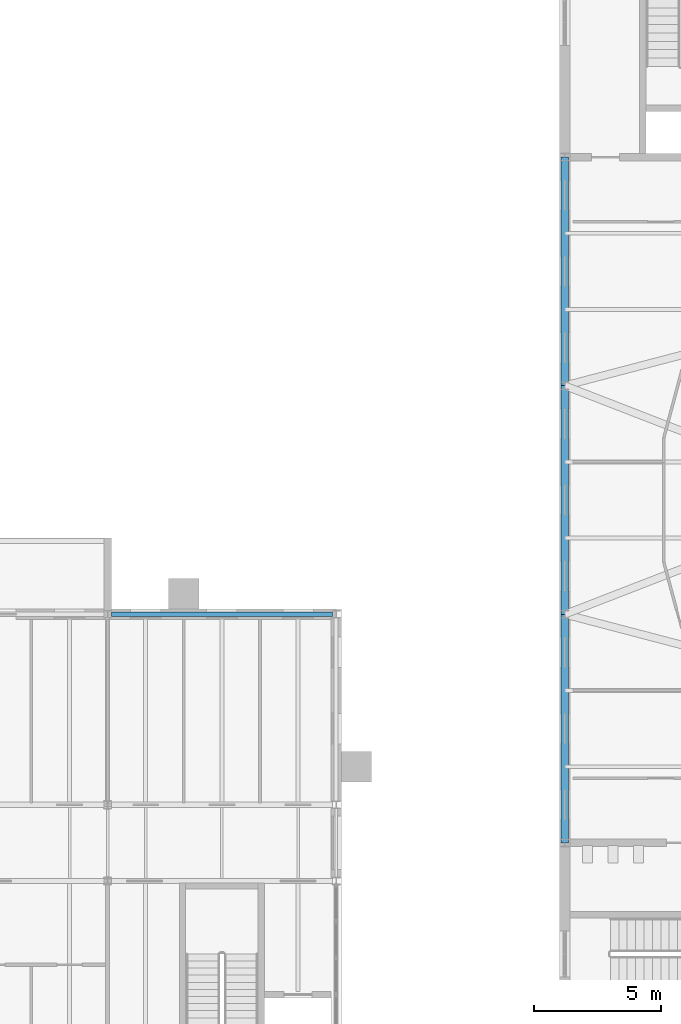
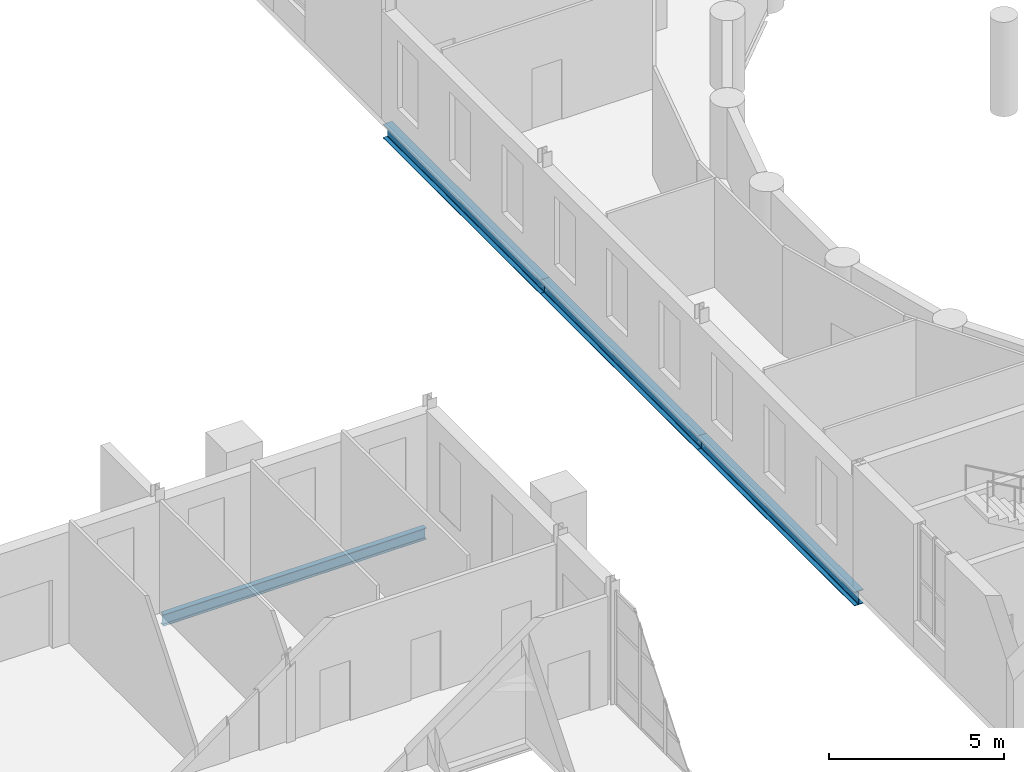
# One storey, part 40 of 134: 4 beams.
"""IFC4 building model written with IfcOpenShell, lengths in metres."""

from ifc_helpers import new_model, si_unit, direction, frame, origin, origin_2d, place, context, subcontext, project, spatial, i_section, extrude, material, material_profile, profile_set, type_object, element, save


model = new_model("IFC4")

# Units and contexts
model_context = context("Model", 3, precision=1e-05, world=origin(), true_north=direction((0.0, 1.0)))
body_context = subcontext(model_context, "Body", "Model", "MODEL_VIEW")
ifc_project = project(units=[si_unit("LENGTHUNIT", "METRE"), si_unit("AREAUNIT", "SQUARE_METRE"), si_unit("VOLUMEUNIT", "CUBIC_METRE"), si_unit("PLANEANGLEUNIT", "RADIAN"), si_unit("MASSUNIT", "GRAM", prefix="KILO")], contexts=[model_context])

# Site, building, storey
site_placement = place(None, origin())
site = spatial("IfcSite", under=ifc_project, at=site_placement, CompositionType="ELEMENT")
building_placement = place(site_placement, origin())
building = spatial("IfcBuilding", under=site, at=building_placement, Name="Golden Quay Civic Hall", CompositionType="ELEMENT")
storey_placement = place(building_placement, frame((0.0, 0.0, 5.39990234375)))
storey = spatial("IfcBuildingStorey", under=building, at=storey_placement, Name="L01", CompositionType="ELEMENT", Elevation=5.39990234375)

# Beams
ifc_material_1 = material(Name="Steel S355", Category="steel")
ifc_material_profile_1 = material_profile(ifc_material_1, i_section(OverallWidth=0.179931640625, OverallDepth=0.39990234375, WebThickness=0.008544921875, FlangeThickness=0.013427734375, FilletRadius=0.02099609375, at=origin_2d()), Name="IPE 400")
ifc_profile_set_1 = profile_set([ifc_material_profile_1], Name="Steel S355")
beam_type_1 = type_object("IfcBeamType", Name="Steel beam IPE 400", PredefinedType="BEAM", material=ifc_profile_set_1)
beam_placement = place(storey_placement, frame((45.14990234375, 81.0, -0.39990234375), z_axis=(1.0, 0.0, 0.0), x_axis=(0.0, 1.0, 0.0)))
element("IfcBeam", 1, at=beam_placement, inside=storey, type_object=beam_type_1, Name="Beam L81-45", PredefinedType="BEAM", context=body_context, shape_type="SweptSolid", body=[
    extrude(i_section(OverallWidth=0.179931640625, OverallDepth=0.39990234375, WebThickness=0.008544921875, FlangeThickness=0.013427734375, FilletRadius=0.02099609375, at=origin_2d()), origin(), (0.0, 0.0, 1.0), 8.7001953125),
])
ifc_material_2 = material(Name="Steel S355", Category="steel")
ifc_material_profile_2 = material_profile(ifc_material_2, i_section(OverallWidth=0.300048828125, OverallDepth=0.489990234375, WebThickness=0.011962890625, FlangeThickness=0.02294921875, FilletRadius=0.027099609375, at=origin_2d()), Name="HEA 500")
ifc_profile_set_2 = profile_set([ifc_material_profile_2], Name="Steel S355")
beam_type_2 = type_object("IfcBeamType", Name="Steel girder HEA 500", PredefinedType="BEAM", material=ifc_profile_set_2)
for number, where, z_axis, x_axis, name in (
    (2, (63.0, 72.0, -0.44482421875), (0.0, 1.0, 0.0), (-1.0, 0.0, 0.0), "Perimeter girder 3"),
    (3, (63.0, 81.0, -0.44482421875), (0.0, 1.0, 0.0), (-1.0, 0.0, 0.0), "Perimeter girder 7"),
    (4, (63.0, 90.0, -0.44482421875), (0.0, 1.0, 0.0), (-1.0, 0.0, 0.0), "Perimeter girder 11"),
):
    element("IfcBeam", number, at=place(storey_placement, frame(where, z_axis=z_axis, x_axis=x_axis)), inside=storey, type_object=beam_type_2, Name=name, PredefinedType="BEAM", context=body_context, shape_type="SweptSolid", body=[
        extrude(i_section(OverallWidth=0.300048828125, OverallDepth=0.489990234375, WebThickness=0.011962890625, FlangeThickness=0.02294921875, FilletRadius=0.027099609375, at=origin_2d()), origin(), (0.0, 0.0, 1.0), 9.0),
    ])

save(model, "model.ifc")
